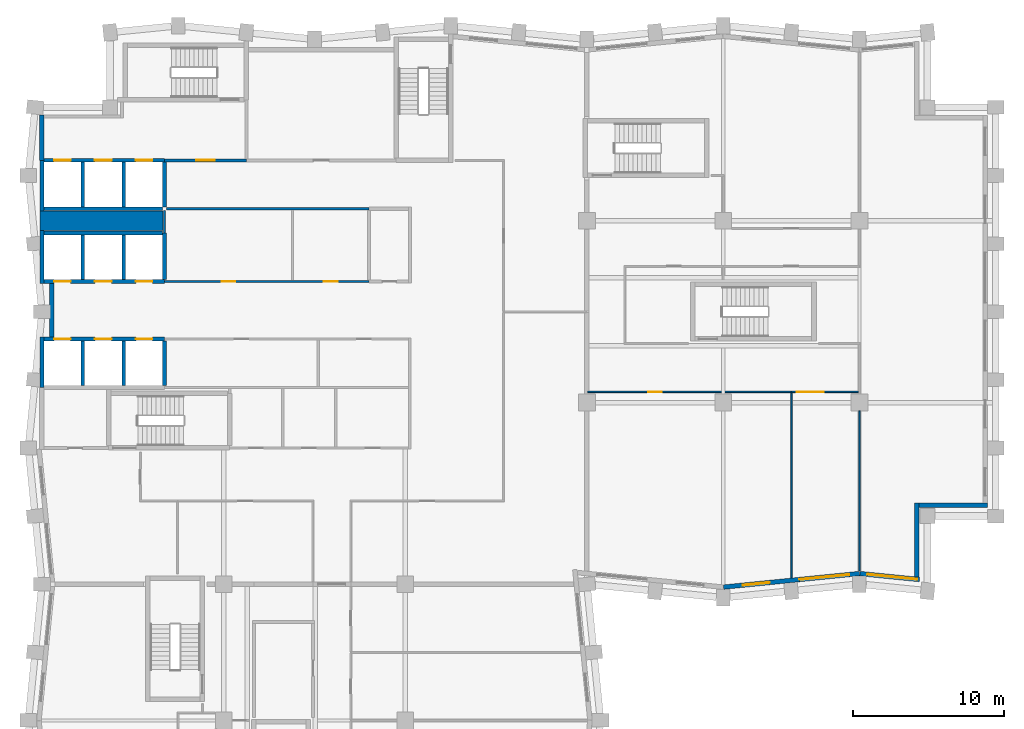
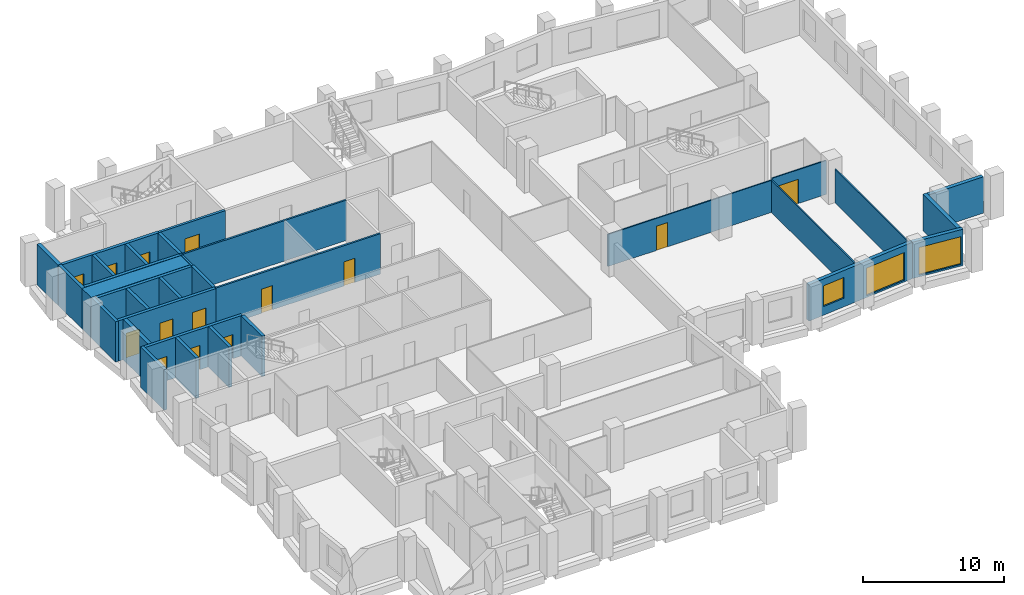
# One storey, part 5 of 10: 32 walls, 14 doors, 3 windows, 17 openings.
"""IFC4 building model written with IfcOpenShell, lengths in metres."""

import ifcopenshell
import ifcopenshell.guid

model = None  # the IFC model being written
_history = None  # IfcOwnerHistory: only IFC2X3 demands one
_inside = {}  # id of a spatial element -> (the spatial element, [elements in it])
_under = {}  # id of a project, library or spatial element -> (it, [spatial elements below it])
_declared = {}  # id of a project -> (the project, [libraries it declares])
_typed = {}  # id of a type object -> (the type object, [elements of that type])
_made_of = {}  # id of a material, layer set ... -> (it, [elements and type objects made of it])


def new_model(schema):
    """Start an empty IFC model of exactly this schema.

    Asked for "IFC4X3", IfcOpenShell would pick the latest addendum, in which some entities
    have other attributes; the version numbers below select the first issue.
    IFC2X3 requires an IfcOwnerHistory on every rooted entity: one is made here for all.
    """
    global model, _history
    if schema == "IFC4X3":
        model = ifcopenshell.file(schema_version=(4, 3, 0, 0))
    else:
        model = ifcopenshell.file(schema=schema)
    _inside.clear()
    _under.clear()
    _declared.clear()
    _typed.clear()
    _made_of.clear()
    _history = None
    if model.schema == "IFC2X3":
        org = make("IfcOrganization", Name="unknown")
        user = make(
            "IfcPersonAndOrganization",
            ThePerson=make("IfcPerson", FamilyName="unknown"),
            TheOrganization=org,
        )
        app = make(
            "IfcApplication",
            ApplicationDeveloper=org,
            Version="unknown",
            ApplicationFullName="unknown",
            ApplicationIdentifier="unknown",
        )
        _history = make(
            "IfcOwnerHistory",
            OwningUser=user,
            OwningApplication=app,
            ChangeAction="ADDED",
            CreationDate=0,
        )
    return model


def make(cls, **values):
    """One entity of the class cls with the attributes given. An attribute that is None is left unset."""
    return model.create_entity(
        cls, **{name: value for name, value in values.items() if value is not None}
    )


def rooted(cls, **values):
    """An entity with a GlobalId (a new one), such as an element, a storey or a relation."""
    return make(cls, GlobalId=ifcopenshell.guid.new(), OwnerHistory=_history, **values)


def si_unit(unit_type, name, prefix=None):
    """IfcSIUnit, for example si_unit("LENGTHUNIT", "METRE", prefix="MILLI")."""
    return make("IfcSIUnit", UnitType=unit_type, Prefix=prefix, Name=name)


def assignment(units):
    """IfcUnitAssignment: the units of a project."""
    return None if units is None else make("IfcUnitAssignment", Units=units)


def point(xyz):
    """IfcCartesianPoint."""
    return None if xyz is None else make("IfcCartesianPoint", Coordinates=xyz)


def direction(xyz):
    """IfcDirection."""
    return None if xyz is None else make("IfcDirection", DirectionRatios=xyz)


def frame(location, z_axis=None, x_axis=None):
    """IfcAxis2Placement3D, a coordinate frame: its origin and axes. An axis left out is left unset."""
    return make(
        "IfcAxis2Placement3D",
        Location=point(location),
        Axis=direction(z_axis),
        RefDirection=direction(x_axis),
    )


def frame_2d(location, x_axis=None):
    """IfcAxis2Placement2D, a coordinate frame in the plane: its origin and x axis."""
    return make(
        "IfcAxis2Placement2D", Location=point(location), RefDirection=direction(x_axis)
    )


def origin():
    """The frame at (0, 0, 0) with its axes left unset."""
    return frame((0.0, 0.0, 0.0))


def place(relative_to, where):
    """IfcLocalPlacement: puts the frame where relative to a parent placement (None: the world)."""
    return make(
        "IfcLocalPlacement", PlacementRelTo=relative_to, RelativePlacement=where
    )


def context(
    kind, dimensions, precision=None, world=None, true_north=None, identifier=None
):
    """IfcGeometricRepresentationContext, for example the 3D "Model" context."""
    return make(
        "IfcGeometricRepresentationContext",
        ContextIdentifier=identifier,
        ContextType=kind,
        CoordinateSpaceDimension=dimensions,
        Precision=precision,
        WorldCoordinateSystem=world,
        TrueNorth=true_north,
    )


def subcontext(parent, identifier, kind, view, scale=None):
    """IfcGeometricRepresentationSubContext, for example "Body" below "Model"."""
    return make(
        "IfcGeometricRepresentationSubContext",
        ContextIdentifier=identifier,
        ContextType=kind,
        ParentContext=parent,
        TargetScale=scale,
        TargetView=view,
    )


def project(units=None, contexts=None):
    """IfcProject with its units and contexts."""
    return rooted(
        "IfcProject",
        Name="project",
        RepresentationContexts=contexts,
        UnitsInContext=assignment(units),
    )


def spatial(cls, under=None, at=None, **own):
    """A site, building, storey or space (cls), placed at a placement, below another one or the project."""
    s = rooted(cls, ObjectPlacement=at, **own)
    if under is not None:
        _under.setdefault(under.id(), (under, []))[1].append(s)
    return s


def profile(cls, at=None, kind="AREA", **sizes):
    """A parametric profile (cls). Its sizes go by their IFC names, for example OverallWidth=200.0."""
    return make(cls, ProfileType=kind, Position=at, **sizes)


def rectangle(**sizes):
    """IfcRectangleProfileDef."""
    return profile("IfcRectangleProfileDef", **sizes)


def extrude(swept, where, along, depth):
    """IfcExtrudedAreaSolid: the profile swept, set in the frame where, extruded along a direction by depth."""
    return make(
        "IfcExtrudedAreaSolid",
        SweptArea=swept,
        Position=where,
        ExtrudedDirection=direction(along),
        Depth=depth,
    )


def shape(context_of_items, identifier, shape_type, items):
    """IfcShapeRepresentation: the items that make up one representation, for example the "Body"."""
    return make(
        "IfcShapeRepresentation",
        ContextOfItems=context_of_items,
        RepresentationIdentifier=identifier,
        RepresentationType=shape_type,
        Items=items,
    )


def material(Name=None, Category=None):
    """IfcMaterial."""
    return make("IfcMaterial", Name=Name, Category=Category)


def layer(
    of_material, thickness, ventilated=None, Name=None, Category=None, Priority=None
):
    """IfcMaterialLayer: one layer of a wall or slab, of a material (None: an air gap)."""
    return make(
        "IfcMaterialLayer",
        Material=of_material,
        LayerThickness=thickness,
        IsVentilated=ventilated,
        Name=Name,
        Category=Category,
        Priority=Priority,
    )


def layer_set(layers, Name=None):
    """IfcMaterialLayerSet."""
    return make("IfcMaterialLayerSet", MaterialLayers=layers, LayerSetName=Name)


def made_of(thing, what):
    """Note that an element or type object is made of a material, layer set ...; save() writes the relation."""
    if what is not None:
        _made_of.setdefault(what.id(), (what, []))[1].append(thing)
    return thing


def type_object(cls, material=None, **own):
    """A type object (cls), such as IfcWallType, which elements share."""
    return made_of(rooted(cls, **own), material)


def element(
    cls,
    number,
    at=None,
    inside=None,
    cuts=None,
    type_object=None,
    material=None,
    context=None,
    identifier="Body",
    shape_type=None,
    held_by="IfcProductDefinitionShape",
    body=None,
    shapes=None,
    **own,
):
    """One element of the class cls, such as IfcWall. Its Tag is "e" and its number.

    at: its placement. inside: the storey or other place that contains it. cuts: it is an
    opening in that element (IfcRelVoidsElement). A single representation is given by context,
    identifier, shape_type and body (its items); several are given by shapes. held_by: the class
    of the entity that holds the representations. save() writes the other relations.
    """
    e = rooted(cls, Tag="e%d" % number, ObjectPlacement=at, **own)
    if body is not None:
        shapes = [shape(context, identifier, shape_type, body)]
    if shapes is not None:
        e.Representation = make(held_by, Representations=shapes)
    if inside is not None:
        _inside.setdefault(inside.id(), (inside, []))[1].append(e)
    if cuts is not None:
        rooted(
            "IfcRelVoidsElement", RelatingBuildingElement=cuts, RelatedOpeningElement=e
        )
    if type_object is not None:
        _typed.setdefault(type_object.id(), (type_object, []))[1].append(e)
    return made_of(e, material)


def fill(opening, filler):
    """IfcRelFillsElement: the door or window that sits in an opening."""
    return rooted(
        "IfcRelFillsElement",
        RelatingOpeningElement=opening,
        RelatedBuildingElement=filler,
    )


def aggregate(whole, parts):
    """IfcRelAggregates: a whole, such as a stair, and the parts it consists of."""
    return rooted("IfcRelAggregates", RelatingObject=whole, RelatedObjects=parts)


def save(model, path):
    """Write the relations noted so far, then the file.

    IfcRelAggregates (storeys below a building ...), IfcRelContainedInSpatialStructure (elements
    in a storey), IfcRelDefinesByType, IfcRelAssociatesMaterial and IfcRelDeclares: one each for
    every whole, place, type object, material and project.
    """
    for whole, parts in _under.values():
        aggregate(whole, parts)
    for where, things in _inside.values():
        rooted(
            "IfcRelContainedInSpatialStructure",
            RelatedElements=things,
            RelatingStructure=where,
        )
    for kind, things in _typed.values():
        rooted("IfcRelDefinesByType", RelatedObjects=things, RelatingType=kind)
    for what, things in _made_of.values():
        rooted("IfcRelAssociatesMaterial", RelatedObjects=things, RelatingMaterial=what)
    for by, libraries in _declared.values():
        rooted("IfcRelDeclares", RelatingContext=by, RelatedDefinitions=libraries)
    model.write(path)


model = new_model("IFC4")

# Units and contexts
model_context = context("Model", 3, precision=1e-05, world=origin(), true_north=direction((0.0, 1.0)))
body_context = subcontext(model_context, "Body", "Model", "MODEL_VIEW")
ifc_project = project(units=[si_unit("LENGTHUNIT", "METRE"), si_unit("AREAUNIT", "SQUARE_METRE"), si_unit("VOLUMEUNIT", "CUBIC_METRE"), si_unit("PLANEANGLEUNIT", "RADIAN"), si_unit("MASSUNIT", "GRAM", prefix="KILO")], contexts=[model_context])

# Site, building, storey
site_placement = place(None, origin())
site = spatial("IfcSite", under=ifc_project, at=site_placement, CompositionType="ELEMENT")
building_placement = place(site_placement, origin())
building = spatial("IfcBuilding", under=site, at=building_placement, Name="Brondeck Convention Tower", CompositionType="ELEMENT")
storey_placement = place(building_placement, frame((0.0, 0.0, 158.60009765625)))
storey = spatial("IfcBuildingStorey", under=building, at=storey_placement, Name="L38", CompositionType="ELEMENT", Elevation=158.60009765625)

# Walls
ifc_material_1 = material(Name="Concrete C70/85", Category="concrete")
ifc_layer_1 = layer(ifc_material_1, 0.300048828125)
ifc_layer_set_1 = layer_set([ifc_layer_1], Name="Core outer wall 300 Concrete C70/85")
wall_type_1 = type_object("IfcWallType", Name="Core outer wall 300 Concrete C70/85", PredefinedType="SHEAR", material=ifc_layer_set_1)
wall_1_placement = place(storey_placement, frame((0.0, 55.0, 0.0), z_axis=(0.0, 0.0, 1.0), x_axis=(0.0, 1.0, 0.0)))
element("IfcWall", 1, at=wall_1_placement, inside=storey, type_object=wall_type_1, Name="L38 core wall", PredefinedType="SHEAR", context=body_context, shape_type="SweptSolid", body=[
    extrude(rectangle(XDim=3.0, YDim=0.300048828125, at=frame_2d((1.5, 0.0))), origin(), (0.0, 0.0, 1.0), 3.5),
])
wall_2_placement = place(storey_placement, frame((0.64990234375, 43.324951171875, 0.0), z_axis=(0.0, 0.0, 1.0), x_axis=(0.0, 1.0, 0.0)))
element("IfcWall", 2, at=wall_2_placement, inside=storey, type_object=wall_type_1, Name="L38 core wall", PredefinedType="SHEAR", context=body_context, shape_type="SweptSolid", body=[
    extrude(rectangle(XDim=3.550048828125, YDim=0.300048828125, at=frame_2d((1.77490234375, 0.0))), origin(), (0.0, 0.0, 1.0), 3.5),
])

# Wall, openings, doors
ifc_material_2 = material(Name="Fire-rated gypsum board partition")
ifc_layer_2 = layer(ifc_material_2, 0.14990234375)
ifc_layer_set_2 = layer_set([ifc_layer_2], Name="Core partition 150 EI 60")
wall_type_2 = type_object("IfcWallType", Name="Core partition 150 EI 60", PredefinedType="PARTITIONING", material=ifc_layer_set_2)
wall_3_placement = place(storey_placement, frame((8.10009765625, 47.0, 0.0), z_axis=(0.0, 0.0, 1.0), x_axis=(1.0, 0.0, 0.0)))
wall_3 = element("IfcWall", 3, at=wall_3_placement, inside=storey, type_object=wall_type_2, Name="L38 core wall", PredefinedType="PARTITIONING", context=body_context, shape_type="SweptSolid", body=[
    extrude(rectangle(XDim=13.5, YDim=0.14990234375, at=frame_2d((6.75, 0.0))), origin(), (0.0, 0.0, 1.0), 3.5),
])
opening_1_placement = place(wall_3_placement, frame((3.77490234375, 0.0, 0.0)))
opening_1 = element("IfcOpeningElement", 4, at=opening_1_placement, cuts=wall_3, Name="Opening C22-07", PredefinedType="OPENING", context=body_context, shape_type="SweptSolid", body=[
    extrude(rectangle(XDim=0.89990234375, YDim=2.10009765625, at=frame_2d((0.449951171875, 1.050048828125))), frame((0.0, 0.0849609375, 0.0), z_axis=(0.0, -1.0, 0.0), x_axis=(1.0, 0.0, 0.0)), (0.0, 0.0, 1.0), 0.169921875),
])
opening_2_placement = place(wall_3_placement, frame((10.52490234375, 0.0, 0.0)))
opening_2 = element("IfcOpeningElement", 5, at=opening_2_placement, cuts=wall_3, Name="Opening C22-08", PredefinedType="OPENING", context=body_context, shape_type="SweptSolid", body=[
    extrude(rectangle(XDim=0.89990234375, YDim=2.10009765625, at=frame_2d((0.449951171875, 1.050048828125))), frame((0.0, 0.0849609375, 0.0), z_axis=(0.0, -1.0, 0.0), x_axis=(1.0, 0.0, 0.0)), (0.0, 0.0, 1.0), 0.169921875),
])
ifc_material_3 = material(Name="Steel fire door", Category="steel")
door_type_1 = type_object("IfcDoorType", Name="Room door 900x2100 EI 60", OperationType="NOTDEFINED", PredefinedType="DOOR", material=ifc_material_3)
door_1_placement = place(opening_1_placement, origin())
door_1 = element("IfcDoor", 6, at=door_1_placement, inside=storey, type_object=door_type_1, Name="L38 Room door FZ-N-8.1-1", OperationType="SINGLE_SWING_LEFT", OverallHeight=2.10009765625, OverallWidth=0.89990234375, PredefinedType="DOOR", context=body_context, shape_type="SweptSolid", body=[
    extrude(rectangle(XDim=0.89990234375, YDim=2.10009765625, at=frame_2d((0.449951171875, 1.050048828125))), frame((0.0, 0.02490234375, 0.0), z_axis=(0.0, -1.0, 0.0), x_axis=(1.0, 0.0, 0.0)), (0.0, 0.0, 1.0), 0.050048828125),
])
fill(opening_1, door_1)
door_2_placement = place(opening_2_placement, origin())
door_2 = element("IfcDoor", 7, at=door_2_placement, inside=storey, type_object=door_type_1, Name="L38 Room door FZ-N-8.1-2", OperationType="SINGLE_SWING_RIGHT", OverallHeight=2.10009765625, OverallWidth=0.89990234375, PredefinedType="DOOR", context=body_context, shape_type="SweptSolid", body=[
    extrude(rectangle(XDim=0.89990234375, YDim=2.10009765625, at=frame_2d((0.449951171875, 1.050048828125))), frame((0.0, 0.02490234375, 0.0), z_axis=(0.0, -1.0, 0.0), x_axis=(1.0, 0.0, 0.0)), (0.0, 0.0, 1.0), 0.050048828125),
])
fill(opening_2, door_2)

# Walls
wall_4_placement = place(storey_placement, frame((8.22509765625, 51.800048828125, 0.0), z_axis=(0.0, 0.0, 1.0), x_axis=(1.0, 0.0, 0.0)))
element("IfcWall", 8, at=wall_4_placement, inside=storey, type_object=wall_type_2, Name="L38 core wall", PredefinedType="PARTITIONING", context=body_context, shape_type="SweptSolid", body=[
    extrude(rectangle(XDim=13.375, YDim=0.14990234375, at=frame_2d((6.6875, 0.0))), origin(), (0.0, 0.0, 1.0), 3.5),
])
wall_5_placement = place(storey_placement, frame((8.10009765625, 50.199951171875, 0.0), z_axis=(0.0, 0.0, 1.0), x_axis=(0.0, 1.0, 0.0)))
element("IfcWall", 9, at=wall_5_placement, inside=storey, type_object=wall_type_2, Name="L38 core wall", PredefinedType="PARTITIONING", context=body_context, shape_type="SweptSolid", body=[
    extrude(rectangle(XDim=1.47509765625, YDim=0.14990234375, at=frame_2d((0.737548828125, 0.0))), origin(), (0.0, 0.0, 1.0), 3.5),
])
ifc_layer_3 = layer(ifc_material_1, 1.300048828125)
ifc_layer_set_3 = layer_set([ifc_layer_3], Name="Core shear wall 1300 Concrete C70/85")
wall_type_3 = type_object("IfcWallType", Name="Core shear wall 1300 Concrete C70/85", PredefinedType="SHEAR", material=ifc_layer_set_3)
wall_6_placement = place(storey_placement, frame((-0.125, 51.0, 0.0), z_axis=(0.0, 0.0, 1.0), x_axis=(1.0, 0.0, 0.0)))
element("IfcWall", 10, at=wall_6_placement, inside=storey, type_object=wall_type_3, Name="L38 core wall", PredefinedType="SHEAR", context=body_context, shape_type="SweptSolid", body=[
    extrude(rectangle(XDim=8.125, YDim=1.300048828125, at=frame_2d((4.0625, 0.0))), origin(), (0.0, 0.0, 1.0), 3.5),
])

# Wall, openings, windows
ifc_material_4 = material(Name="Precast concrete C50/60 bronze finish", Category="concrete")
ifc_layer_4 = layer(ifc_material_4, 0.070068359375, Name="Bronze precast facing")
ifc_material_5 = material(Name="Mineral wool")
ifc_layer_5 = layer(ifc_material_5, 0.159912109375, Name="Insulation")
ifc_material_6 = material(Name="Concrete C35/45", Category="concrete")
ifc_layer_6 = layer(ifc_material_6, 0.070068359375, Name="Backing")
ifc_layer_set_4 = layer_set([ifc_layer_4, ifc_layer_5, ifc_layer_6], Name="External infill wall, precast concrete C50/60 bronze facing")
wall_type_4 = type_object("IfcWallType", Name="External infill wall, precast concrete C50/60 bronze facing", PredefinedType="SOLIDWALL", material=ifc_layer_set_4)
wall_7_placement = place(storey_placement, frame((54.014892578125, 27.705078125, 0.0), z_axis=(0.0, 0.0, 1.0), x_axis=(-0.995035316196, -0.099522457379, 0.0)))
wall_7 = element("IfcWall", 11, at=wall_7_placement, inside=storey, type_object=wall_type_4, Name="ENV-EW-L38-P1-A-S-02", PredefinedType="SOLIDWALL", context=body_context, shape_type="SweptSolid", body=[
    extrude(rectangle(XDim=9.030029296875, YDim=0.300048828125, at=frame_2d((4.51513671875, 0.0))), origin(), (0.0, 0.0, 1.0), 3.14990234375),
])
opening_3_placement = place(wall_7_placement, frame((0.6962890625, 0.0, 0.14990234375)))
opening_3 = element("IfcOpeningElement", 12, at=opening_3_placement, cuts=wall_7, Name="Opening W9", PredefinedType="OPENING", context=body_context, shape_type="SweptSolid", body=[
    extrude(rectangle(XDim=3.300048828125, YDim=2.39990234375, at=frame_2d((1.64990234375, 1.199951171875))), frame((0.0, 0.159912109375, 0.0), z_axis=(0.0, -1.0, 0.0), x_axis=(1.0, 0.0, 0.0)), (0.0, 0.0, 1.0), 0.320068359375),
])
opening_4_placement = place(wall_7_placement, frame((5.968505859375, 0.0, 0.75)))
opening_4 = element("IfcOpeningElement", 13, at=opening_4_placement, cuts=wall_7, Name="Opening W10", PredefinedType="OPENING", context=body_context, shape_type="SweptSolid", body=[
    extrude(rectangle(XDim=1.800048828125, YDim=1.800048828125, at=frame_2d((0.89990234375, 0.89990234375))), frame((0.0, 0.159912109375, 0.0), z_axis=(0.0, -1.0, 0.0), x_axis=(1.0, 0.0, 0.0)), (0.0, 0.0, 1.0), 0.320068359375),
])
ifc_material_7 = material(Name="Bronze tinted double glazing", Category="glass")
window_type_1 = type_object("IfcWindowType", Name="Glazed flute window, bronze tinted", PartitioningType="SINGLE_PANEL", PredefinedType="WINDOW", material=ifc_material_7)
window_1_placement = place(opening_3_placement, origin())
window_1 = element("IfcWindow", 14, at=window_1_placement, inside=storey, type_object=window_type_1, Name="ENV-WN-L38-P1-A-S-03", OverallHeight=2.39990234375, OverallWidth=3.300048828125, PartitioningType="SINGLE_PANEL", PredefinedType="WINDOW", context=body_context, shape_type="SweptSolid", body=[
    extrude(rectangle(XDim=3.300048828125, YDim=2.39990234375, at=frame_2d((1.64990234375, 1.199951171875))), frame((0.0, 0.030029296875, 0.0), z_axis=(0.0, -1.0, 0.0), x_axis=(1.0, 0.0, 0.0)), (0.0, 0.0, 1.0), 0.06005859375),
])
fill(opening_3, window_1)
window_type_2 = type_object("IfcWindowType", Name="Punched window, bronze tinted", PartitioningType="SINGLE_PANEL", PredefinedType="WINDOW", material=ifc_material_7)
window_2_placement = place(opening_4_placement, origin())
window_2 = element("IfcWindow", 15, at=window_2_placement, inside=storey, type_object=window_type_2, Name="ENV-WN-L38-P1-A-S-02", OverallHeight=1.800048828125, OverallWidth=1.800048828125, PartitioningType="SINGLE_PANEL", PredefinedType="WINDOW", context=body_context, shape_type="SweptSolid", body=[
    extrude(rectangle(XDim=1.800048828125, YDim=1.800048828125, at=frame_2d((0.89990234375, 0.89990234375))), frame((0.0, 0.030029296875, 0.0), z_axis=(0.0, -1.0, 0.0), x_axis=(1.0, 0.0, 0.0)), (0.0, 0.0, 1.0), 0.06005859375),
])
fill(opening_4, window_2)

# Wall, opening, window
wall_8_placement = place(storey_placement, frame((57.96484375, 27.306884765625, 0.0), z_axis=(0.0, 0.0, 1.0), x_axis=(-0.99503596767, 0.099515943658, 0.0)))
wall_8 = element("IfcWall", 16, at=wall_8_placement, inside=storey, type_object=wall_type_4, Name="ENV-EW-L38-P1-A-S-04", PredefinedType="SOLIDWALL", context=body_context, shape_type="SweptSolid", body=[
    extrude(rectangle(XDim=3.95458984375, YDim=0.300048828125, at=frame_2d((1.977294921875, 0.0))), origin(), (0.0, 0.0, 1.0), 3.14990234375),
])
opening_5_placement = place(wall_8_placement, frame((0.14990234375, 0.0, 0.14990234375)))
opening_5 = element("IfcOpeningElement", 17, at=opening_5_placement, cuts=wall_8, Name="Opening W9", PredefinedType="OPENING", context=body_context, shape_type="SweptSolid", body=[
    extrude(rectangle(XDim=3.300048828125, YDim=2.39990234375, at=frame_2d((1.64990234375, 1.199951171875))), frame((0.0, 0.159912109375, 0.0), z_axis=(0.0, -1.0, 0.0), x_axis=(1.0, 0.0, 0.0)), (0.0, 0.0, 1.0), 0.320068359375),
])
window_3_placement = place(opening_5_placement, origin())
window_3 = element("IfcWindow", 18, at=window_3_placement, inside=storey, type_object=window_type_1, Name="ENV-WN-L38-P1-A-S-04", OverallHeight=2.39990234375, OverallWidth=3.300048828125, PartitioningType="SINGLE_PANEL", PredefinedType="WINDOW", context=body_context, shape_type="SweptSolid", body=[
    extrude(rectangle(XDim=3.300048828125, YDim=2.39990234375, at=frame_2d((1.64990234375, 1.199951171875))), frame((0.0, 0.030029296875, 0.0), z_axis=(0.0, -1.0, 0.0), x_axis=(1.0, 0.0, 0.0)), (0.0, 0.0, 1.0), 0.06005859375),
])
fill(opening_5, window_3)

# Walls
wall_9_placement = place(storey_placement, frame((57.800048828125, 32.35009765625, 0.0), z_axis=(0.0, 0.0, 1.0), x_axis=(0.0, -1.0, 0.0)))
element("IfcWall", 19, at=wall_9_placement, inside=storey, type_object=wall_type_4, Name="ENV-EW-L38-P1-NC-SEA63-01", PredefinedType="SOLIDWALL", context=body_context, shape_type="SweptSolid", body=[
    extrude(rectangle(XDim=4.87060546875, YDim=0.300048828125, at=frame_2d((2.435302734375, 0.0))), origin(), (0.0, 0.0, 1.0), 3.14990234375),
])
wall_10_placement = place(storey_placement, frame((62.449951171875, 32.199951171875, 0.0), z_axis=(0.0, 0.0, 1.0), x_axis=(-1.0, 0.0, 0.0)))
element("IfcWall", 20, at=wall_10_placement, inside=storey, type_object=wall_type_4, Name="ENV-EW-L38-P1-NC-SEA63-02", PredefinedType="SOLIDWALL", context=body_context, shape_type="SweptSolid", body=[
    extrude(rectangle(XDim=4.501953125, YDim=0.300048828125, at=frame_2d((2.2509765625, 0.0))), origin(), (0.0, 0.0, 1.0), 3.14990234375),
])

# Wall, opening, door
ifc_layer_7 = layer(ifc_material_2, 0.199951171875)
ifc_layer_set_5 = layer_set([ifc_layer_7], Name="Firefighting lobby wall 200 EI 120")
wall_type_5 = type_object("IfcWallType", Name="Firefighting lobby wall 200 EI 120", PredefinedType="PARTITIONING", material=ifc_layer_set_5)
wall_11_placement = place(storey_placement, frame((8.10009765625, 55.0, 0.0), z_axis=(0.0, 0.0, 1.0), x_axis=(1.0, 0.0, 0.0)))
wall_11 = element("IfcWall", 21, at=wall_11_placement, inside=storey, type_object=wall_type_5, Name="L38 core wall", PredefinedType="PARTITIONING", context=body_context, shape_type="SweptSolid", body=[
    extrude(rectangle(XDim=5.39990234375, YDim=0.199951171875, at=frame_2d((2.699951171875, 0.0))), origin(), (0.0, 0.0, 1.0), 3.5),
])
opening_6_placement = place(wall_11_placement, frame((2.10009765625, 0.0, 0.0)))
opening_6 = element("IfcOpeningElement", 22, at=opening_6_placement, cuts=wall_11, Name="Opening C22-01", PredefinedType="OPENING", context=body_context, shape_type="SweptSolid", body=[
    extrude(rectangle(XDim=1.199951171875, YDim=2.199951171875, at=frame_2d((0.60009765625, 1.10009765625))), frame((0.0, 0.10986328125, 0.0), z_axis=(0.0, -1.0, 0.0), x_axis=(1.0, 0.0, 0.0)), (0.0, 0.0, 1.0), 0.219970703125),
])
door_type_2 = type_object("IfcDoorType", Name="Firefighting lobby door 1200x2200 EI 120", OperationType="NOTDEFINED", PredefinedType="DOOR", material=ifc_material_3)
door_3_placement = place(opening_6_placement, origin())
door_3 = element("IfcDoor", 23, at=door_3_placement, inside=storey, type_object=door_type_2, Name="L38 Firefighting lobby door FFL-1", OperationType="SINGLE_SWING_RIGHT", OverallHeight=2.199951171875, OverallWidth=1.199951171875, PredefinedType="DOOR", context=body_context, shape_type="SweptSolid", body=[
    extrude(rectangle(XDim=1.199951171875, YDim=2.199951171875, at=frame_2d((0.60009765625, 1.10009765625))), frame((0.0, 0.02490234375, 0.0), z_axis=(0.0, -1.0, 0.0), x_axis=(1.0, 0.0, 0.0)), (0.0, 0.0, 1.0), 0.050048828125),
])
fill(opening_6, door_3)

# Wall, openings, doors
ifc_layer_8 = layer(ifc_material_1, 0.25)
ifc_layer_set_6 = layer_set([ifc_layer_8], Name="Lift shaft wall 250 Concrete C70/85")
wall_type_6 = type_object("IfcWallType", Name="Lift shaft wall 250 Concrete C70/85", PredefinedType="SHEAR", material=ifc_layer_set_6)
wall_12_placement = place(storey_placement, frame((0.125, 43.199951171875, 0.0), z_axis=(0.0, 0.0, 1.0), x_axis=(1.0, 0.0, 0.0)))
wall_12 = element("IfcWall", 24, at=wall_12_placement, inside=storey, type_object=wall_type_6, Name="L38 core wall", PredefinedType="SHEAR", context=body_context, shape_type="SweptSolid", body=[
    extrude(rectangle(XDim=7.97509765625, YDim=0.25, at=frame_2d((3.987548828125, 0.0))), origin(), (0.0, 0.0, 1.0), 3.5),
])
opening_7_placement = place(wall_12_placement, frame((0.675048828125, 0.0, 0.0)))
opening_7 = element("IfcOpeningElement", 25, at=opening_7_placement, cuts=wall_12, Name="Opening C22-22", PredefinedType="OPENING", context=body_context, shape_type="SweptSolid", body=[
    extrude(rectangle(XDim=1.10009765625, YDim=2.10009765625, at=frame_2d((0.550048828125, 1.050048828125))), frame((0.0, 0.135009765625, 0.0), z_axis=(0.0, -1.0, 0.0), x_axis=(1.0, 0.0, 0.0)), (0.0, 0.0, 1.0), 0.27001953125),
])
opening_8_placement = place(wall_12_placement, frame((3.375, 0.0, 0.0)))
opening_8 = element("IfcOpeningElement", 26, at=opening_8_placement, cuts=wall_12, Name="Opening C22-23", PredefinedType="OPENING", context=body_context, shape_type="SweptSolid", body=[
    extrude(rectangle(XDim=1.10009765625, YDim=2.10009765625, at=frame_2d((0.550048828125, 1.050048828125))), frame((0.0, 0.135009765625, 0.0), z_axis=(0.0, -1.0, 0.0), x_axis=(1.0, 0.0, 0.0)), (0.0, 0.0, 1.0), 0.27001953125),
])
opening_9_placement = place(wall_12_placement, frame((6.074951171875, 0.0, 0.0)))
opening_9 = element("IfcOpeningElement", 27, at=opening_9_placement, cuts=wall_12, Name="Opening C22-24", PredefinedType="OPENING", context=body_context, shape_type="SweptSolid", body=[
    extrude(rectangle(XDim=1.10009765625, YDim=2.10009765625, at=frame_2d((0.550048828125, 1.050048828125))), frame((0.0, 0.135009765625, 0.0), z_axis=(0.0, -1.0, 0.0), x_axis=(1.0, 0.0, 0.0)), (0.0, 0.0, 1.0), 0.27001953125),
])
ifc_material_8 = material(Name="Stainless steel lift door", Category="steel")
door_type_3 = type_object("IfcDoorType", Name="Lift landing door 1100x2100 EI 180", OperationType="DOUBLE_DOOR_SLIDING", PredefinedType="DOOR", material=ifc_material_8)
door_4_placement = place(opening_7_placement, origin())
door_4 = element("IfcDoor", 28, at=door_4_placement, inside=storey, type_object=door_type_3, Name="L38 Lift landing door HR1", OperationType="DOUBLE_DOOR_SLIDING", OverallHeight=2.10009765625, OverallWidth=1.10009765625, PredefinedType="DOOR", context=body_context, shape_type="SweptSolid", body=[
    extrude(rectangle(XDim=1.10009765625, YDim=2.10009765625, at=frame_2d((0.550048828125, 1.050048828125))), frame((0.0, 0.02490234375, 0.0), z_axis=(0.0, -1.0, 0.0), x_axis=(1.0, 0.0, 0.0)), (0.0, 0.0, 1.0), 0.050048828125),
])
fill(opening_7, door_4)
door_5_placement = place(opening_8_placement, origin())
door_5 = element("IfcDoor", 29, at=door_5_placement, inside=storey, type_object=door_type_3, Name="L38 Lift landing door HR2", OperationType="DOUBLE_DOOR_SLIDING", OverallHeight=2.10009765625, OverallWidth=1.10009765625, PredefinedType="DOOR", context=body_context, shape_type="SweptSolid", body=[
    extrude(rectangle(XDim=1.10009765625, YDim=2.10009765625, at=frame_2d((0.550048828125, 1.050048828125))), frame((0.0, 0.02490234375, 0.0), z_axis=(0.0, -1.0, 0.0), x_axis=(1.0, 0.0, 0.0)), (0.0, 0.0, 1.0), 0.050048828125),
])
fill(opening_8, door_5)
door_6_placement = place(opening_9_placement, origin())
door_6 = element("IfcDoor", 30, at=door_6_placement, inside=storey, type_object=door_type_3, Name="L38 Lift landing door HR3", OperationType="DOUBLE_DOOR_SLIDING", OverallHeight=2.10009765625, OverallWidth=1.10009765625, PredefinedType="DOOR", context=body_context, shape_type="SweptSolid", body=[
    extrude(rectangle(XDim=1.10009765625, YDim=2.10009765625, at=frame_2d((0.550048828125, 1.050048828125))), frame((0.0, 0.02490234375, 0.0), z_axis=(0.0, -1.0, 0.0), x_axis=(1.0, 0.0, 0.0)), (0.0, 0.0, 1.0), 0.050048828125),
])
fill(opening_9, door_6)

wall_13_placement = place(storey_placement, frame((0.125, 47.0, 0.0), z_axis=(0.0, 0.0, 1.0), x_axis=(1.0, 0.0, 0.0)))
wall_13 = element("IfcWall", 31, at=wall_13_placement, inside=storey, type_object=wall_type_6, Name="L38 core wall", PredefinedType="SHEAR", context=body_context, shape_type="SweptSolid", body=[
    extrude(rectangle(XDim=7.97509765625, YDim=0.25, at=frame_2d((3.987548828125, 0.0))), origin(), (0.0, 0.0, 1.0), 3.5),
])
opening_10_placement = place(wall_13_placement, frame((0.675048828125, 0.0, 0.0)))
opening_10 = element("IfcOpeningElement", 32, at=opening_10_placement, cuts=wall_13, Name="Opening C22-25", PredefinedType="OPENING", context=body_context, shape_type="SweptSolid", body=[
    extrude(rectangle(XDim=1.10009765625, YDim=2.10009765625, at=frame_2d((0.550048828125, 1.050048828125))), frame((0.0, 0.135009765625, 0.0), z_axis=(0.0, -1.0, 0.0), x_axis=(1.0, 0.0, 0.0)), (0.0, 0.0, 1.0), 0.27001953125),
])
opening_11_placement = place(wall_13_placement, frame((3.375, 0.0, 0.0)))
opening_11 = element("IfcOpeningElement", 33, at=opening_11_placement, cuts=wall_13, Name="Opening C22-26", PredefinedType="OPENING", context=body_context, shape_type="SweptSolid", body=[
    extrude(rectangle(XDim=1.10009765625, YDim=2.10009765625, at=frame_2d((0.550048828125, 1.050048828125))), frame((0.0, 0.135009765625, 0.0), z_axis=(0.0, -1.0, 0.0), x_axis=(1.0, 0.0, 0.0)), (0.0, 0.0, 1.0), 0.27001953125),
])
opening_12_placement = place(wall_13_placement, frame((6.074951171875, 0.0, 0.0)))
opening_12 = element("IfcOpeningElement", 34, at=opening_12_placement, cuts=wall_13, Name="Opening C22-27", PredefinedType="OPENING", context=body_context, shape_type="SweptSolid", body=[
    extrude(rectangle(XDim=1.10009765625, YDim=2.10009765625, at=frame_2d((0.550048828125, 1.050048828125))), frame((0.0, 0.135009765625, 0.0), z_axis=(0.0, -1.0, 0.0), x_axis=(1.0, 0.0, 0.0)), (0.0, 0.0, 1.0), 0.27001953125),
])
door_7_placement = place(opening_10_placement, origin())
door_7 = element("IfcDoor", 35, at=door_7_placement, inside=storey, type_object=door_type_3, Name="L38 Lift landing door HR4", OperationType="DOUBLE_DOOR_SLIDING", OverallHeight=2.10009765625, OverallWidth=1.10009765625, PredefinedType="DOOR", context=body_context, shape_type="SweptSolid", body=[
    extrude(rectangle(XDim=1.10009765625, YDim=2.10009765625, at=frame_2d((0.550048828125, 1.050048828125))), frame((0.0, 0.02490234375, 0.0), z_axis=(0.0, -1.0, 0.0), x_axis=(1.0, 0.0, 0.0)), (0.0, 0.0, 1.0), 0.050048828125),
])
fill(opening_10, door_7)
door_8_placement = place(opening_11_placement, origin())
door_8 = element("IfcDoor", 36, at=door_8_placement, inside=storey, type_object=door_type_3, Name="L38 Lift landing door HR5", OperationType="DOUBLE_DOOR_SLIDING", OverallHeight=2.10009765625, OverallWidth=1.10009765625, PredefinedType="DOOR", context=body_context, shape_type="SweptSolid", body=[
    extrude(rectangle(XDim=1.10009765625, YDim=2.10009765625, at=frame_2d((0.550048828125, 1.050048828125))), frame((0.0, 0.02490234375, 0.0), z_axis=(0.0, -1.0, 0.0), x_axis=(1.0, 0.0, 0.0)), (0.0, 0.0, 1.0), 0.050048828125),
])
fill(opening_11, door_8)
door_9_placement = place(opening_12_placement, origin())
door_9 = element("IfcDoor", 37, at=door_9_placement, inside=storey, type_object=door_type_3, Name="L38 Lift landing door HR6", OperationType="DOUBLE_DOOR_SLIDING", OverallHeight=2.10009765625, OverallWidth=1.10009765625, PredefinedType="DOOR", context=body_context, shape_type="SweptSolid", body=[
    extrude(rectangle(XDim=1.10009765625, YDim=2.10009765625, at=frame_2d((0.550048828125, 1.050048828125))), frame((0.0, 0.02490234375, 0.0), z_axis=(0.0, -1.0, 0.0), x_axis=(1.0, 0.0, 0.0)), (0.0, 0.0, 1.0), 0.050048828125),
])
fill(opening_12, door_9)

# Walls
for number, where, z_axis, x_axis, name in (
    (38, (0.125, 50.199951171875, 0.0), (0.0, 0.0, 1.0), (1.0, 0.0, 0.0), "L38 core wall"),
    (39, (0.125, 51.800048828125, 0.0), (0.0, 0.0, 1.0), (1.0, 0.0, 0.0), "L38 core wall"),
):
    element("IfcWall", number, at=place(storey_placement, frame(where, z_axis=z_axis, x_axis=x_axis)), inside=storey, type_object=wall_type_6, Name=name, PredefinedType="SHEAR", context=body_context, shape_type="SweptSolid", body=[
        extrude(rectangle(XDim=7.85009765625, YDim=0.25, at=frame_2d((3.925048828125, 0.0))), origin(), (0.0, 0.0, 1.0), 3.5),
    ])

# Wall, openings, doors
wall_14_placement = place(storey_placement, frame((0.14990234375, 55.0, 0.0), z_axis=(0.0, 0.0, 1.0), x_axis=(1.0, 0.0, 0.0)))
wall_14 = element("IfcWall", 40, at=wall_14_placement, inside=storey, type_object=wall_type_6, Name="L38 core wall", PredefinedType="SHEAR", context=body_context, shape_type="SweptSolid", body=[
    extrude(rectangle(XDim=7.9501953125, YDim=0.25, at=frame_2d((3.97509765625, 0.0))), origin(), (0.0, 0.0, 1.0), 3.5),
])
opening_13_placement = place(wall_14_placement, frame((0.64990234375, 0.0, 0.0)))
opening_13 = element("IfcOpeningElement", 41, at=opening_13_placement, cuts=wall_14, Name="Opening C22-19", PredefinedType="OPENING", context=body_context, shape_type="SweptSolid", body=[
    extrude(rectangle(XDim=1.10009765625, YDim=2.10009765625, at=frame_2d((0.550048828125, 1.050048828125))), frame((0.0, 0.135009765625, 0.0), z_axis=(0.0, -1.0, 0.0), x_axis=(1.0, 0.0, 0.0)), (0.0, 0.0, 1.0), 0.27001953125),
])
opening_14_placement = place(wall_14_placement, frame((3.35009765625, 0.0, 0.0)))
opening_14 = element("IfcOpeningElement", 42, at=opening_14_placement, cuts=wall_14, Name="Opening C22-20", PredefinedType="OPENING", context=body_context, shape_type="SweptSolid", body=[
    extrude(rectangle(XDim=1.10009765625, YDim=2.10009765625, at=frame_2d((0.550048828125, 1.050048828125))), frame((0.0, 0.135009765625, 0.0), z_axis=(0.0, -1.0, 0.0), x_axis=(1.0, 0.0, 0.0)), (0.0, 0.0, 1.0), 0.27001953125),
])
opening_15_placement = place(wall_14_placement, frame((6.050048828125, 0.0, 0.0)))
opening_15 = element("IfcOpeningElement", 43, at=opening_15_placement, cuts=wall_14, Name="Opening C22-21", PredefinedType="OPENING", context=body_context, shape_type="SweptSolid", body=[
    extrude(rectangle(XDim=1.10009765625, YDim=2.10009765625, at=frame_2d((0.550048828125, 1.050048828125))), frame((0.0, 0.135009765625, 0.0), z_axis=(0.0, -1.0, 0.0), x_axis=(1.0, 0.0, 0.0)), (0.0, 0.0, 1.0), 0.27001953125),
])
door_10_placement = place(opening_13_placement, origin())
door_10 = element("IfcDoor", 44, at=door_10_placement, inside=storey, type_object=door_type_3, Name="L38 Lift landing door FF1", OperationType="DOUBLE_DOOR_SLIDING", OverallHeight=2.10009765625, OverallWidth=1.10009765625, PredefinedType="DOOR", context=body_context, shape_type="SweptSolid", body=[
    extrude(rectangle(XDim=1.10009765625, YDim=2.10009765625, at=frame_2d((0.550048828125, 1.050048828125))), frame((0.0, 0.02490234375, 0.0), z_axis=(0.0, -1.0, 0.0), x_axis=(1.0, 0.0, 0.0)), (0.0, 0.0, 1.0), 0.050048828125),
])
fill(opening_13, door_10)
door_11_placement = place(opening_14_placement, origin())
door_11 = element("IfcDoor", 45, at=door_11_placement, inside=storey, type_object=door_type_3, Name="L38 Lift landing door FF2", OperationType="DOUBLE_DOOR_SLIDING", OverallHeight=2.10009765625, OverallWidth=1.10009765625, PredefinedType="DOOR", context=body_context, shape_type="SweptSolid", body=[
    extrude(rectangle(XDim=1.10009765625, YDim=2.10009765625, at=frame_2d((0.550048828125, 1.050048828125))), frame((0.0, 0.02490234375, 0.0), z_axis=(0.0, -1.0, 0.0), x_axis=(1.0, 0.0, 0.0)), (0.0, 0.0, 1.0), 0.050048828125),
])
fill(opening_14, door_11)
door_12_placement = place(opening_15_placement, origin())
door_12 = element("IfcDoor", 46, at=door_12_placement, inside=storey, type_object=door_type_3, Name="L38 Lift landing door FF3", OperationType="DOUBLE_DOOR_SLIDING", OverallHeight=2.10009765625, OverallWidth=1.10009765625, PredefinedType="DOOR", context=body_context, shape_type="SweptSolid", body=[
    extrude(rectangle(XDim=1.10009765625, YDim=2.10009765625, at=frame_2d((0.550048828125, 1.050048828125))), frame((0.0, 0.02490234375, 0.0), z_axis=(0.0, -1.0, 0.0), x_axis=(1.0, 0.0, 0.0)), (0.0, 0.0, 1.0), 0.050048828125),
])
fill(opening_15, door_12)

# Walls
wall_15_placement = place(storey_placement, frame((0.0, 40.0, 0.0), z_axis=(0.0, 0.0, 1.0), x_axis=(0.0, 1.0, 0.0)))
element("IfcWall", 47, at=wall_15_placement, inside=storey, type_object=wall_type_6, Name="L38 core wall", PredefinedType="SHEAR", context=body_context, shape_type="SweptSolid", body=[
    extrude(rectangle(XDim=3.324951171875, YDim=0.25, at=frame_2d((1.66259765625, 0.0))), origin(), (0.0, 0.0, 1.0), 3.5),
])
wall_16_placement = place(storey_placement, frame((0.0, 46.875, 0.0), z_axis=(0.0, 0.0, 1.0), x_axis=(0.0, 1.0, 0.0)))
element("IfcWall", 48, at=wall_16_placement, inside=storey, type_object=wall_type_6, Name="L38 core wall", PredefinedType="SHEAR", context=body_context, shape_type="SweptSolid", body=[
    extrude(rectangle(XDim=3.47509765625, YDim=0.25, at=frame_2d((1.737548828125, 0.0))), origin(), (0.0, 0.0, 1.0), 3.5),
])
wall_17_placement = place(storey_placement, frame((0.0, 51.64990234375, 0.0), z_axis=(0.0, 0.0, 1.0), x_axis=(0.0, 1.0, 0.0)))
element("IfcWall", 49, at=wall_17_placement, inside=storey, type_object=wall_type_6, Name="L38 core wall", PredefinedType="SHEAR", context=body_context, shape_type="SweptSolid", body=[
    extrude(rectangle(XDim=3.35009765625, YDim=0.25, at=frame_2d((1.675048828125, 0.0))), origin(), (0.0, 0.0, 1.0), 3.5),
])
for number, where, z_axis, x_axis, name in (
    (50, (2.699951171875, 40.125, 0.0), (0.0, 0.0, 1.0), (0.0, 1.0, 0.0), "L38 core wall"),
    (51, (2.699951171875, 47.125, 0.0), (0.0, 0.0, 1.0), (0.0, 1.0, 0.0), "L38 core wall"),
    (52, (2.699951171875, 51.925048828125, 0.0), (0.0, 0.0, 1.0), (0.0, 1.0, 0.0), "L38 core wall"),
    (53, (5.39990234375, 40.125, 0.0), (0.0, 0.0, 1.0), (0.0, 1.0, 0.0), "L38 core wall"),
    (54, (5.39990234375, 47.125, 0.0), (0.0, 0.0, 1.0), (0.0, 1.0, 0.0), "L38 core wall"),
    (55, (5.39990234375, 51.925048828125, 0.0), (0.0, 0.0, 1.0), (0.0, 1.0, 0.0), "L38 core wall"),
    (56, (8.10009765625, 40.125, 0.0), (0.0, 0.0, 1.0), (0.0, 1.0, 0.0), "L38 core wall"),
):
    element("IfcWall", number, at=place(storey_placement, frame(where, z_axis=z_axis, x_axis=x_axis)), inside=storey, type_object=wall_type_6, Name=name, PredefinedType="SHEAR", context=body_context, shape_type="SweptSolid", body=[
        extrude(rectangle(XDim=2.949951171875, YDim=0.25, at=frame_2d((1.47509765625, 0.0))), origin(), (0.0, 0.0, 1.0), 3.5),
    ])
wall_18_placement = place(storey_placement, frame((8.10009765625, 47.125, 0.0), z_axis=(0.0, 0.0, 1.0), x_axis=(0.0, 1.0, 0.0)))
element("IfcWall", 57, at=wall_18_placement, inside=storey, type_object=wall_type_6, Name="L38 core wall", PredefinedType="SHEAR", context=body_context, shape_type="SweptSolid", body=[
    extrude(rectangle(XDim=3.074951171875, YDim=0.25, at=frame_2d((1.53759765625, 0.0))), origin(), (0.0, 0.0, 1.0), 3.5),
])
wall_19_placement = place(storey_placement, frame((8.10009765625, 51.925048828125, 0.0), z_axis=(0.0, 0.0, 1.0), x_axis=(0.0, 1.0, 0.0)))
element("IfcWall", 58, at=wall_19_placement, inside=storey, type_object=wall_type_6, Name="L38 core wall", PredefinedType="SHEAR", context=body_context, shape_type="SweptSolid", body=[
    extrude(rectangle(XDim=2.949951171875, YDim=0.25, at=frame_2d((1.47509765625, 0.0))), origin(), (0.0, 0.0, 1.0), 3.5),
])
ifc_material_9 = material(Name="Gypsum board partition on steel studs", Category="steel")
ifc_layer_9 = layer(ifc_material_9, 0.10009765625)
ifc_layer_set_7 = layer_set([ifc_layer_9], Name="Room partition 100")
wall_type_7 = type_object("IfcWallType", Name="Room partition 100", PredefinedType="PARTITIONING", material=ifc_layer_set_7)
wall_20_placement = place(storey_placement, frame((54.0, 27.874267578125, 0.0), z_axis=(0.0, 0.0, 1.0), x_axis=(0.0, 1.0, 0.0)))
element("IfcWall", 59, at=wall_20_placement, inside=storey, type_object=wall_type_7, Name="FLR-L38-W030", PredefinedType="PARTITIONING", context=body_context, shape_type="SweptSolid", body=[
    extrude(rectangle(XDim=10.57080078125, YDim=0.10009765625, at=frame_2d((5.285400390625, 0.0))), origin(), (0.0, 0.0, 1.0), 2.929931640625),
])
wall_21_placement = place(storey_placement, frame((49.5, 39.64990234375, 0.0), z_axis=(0.0, 0.0, 1.0), x_axis=(0.0, -1.0, 0.0)))
element("IfcWall", 60, at=wall_21_placement, inside=storey, type_object=wall_type_7, Name="FLR-L38-W038", PredefinedType="PARTITIONING", context=body_context, shape_type="SweptSolid", body=[
    extrude(rectangle(XDim=12.2255859375, YDim=0.10009765625, at=frame_2d((6.11279296875, 0.0))), origin(), (0.0, 0.0, 1.0), 2.77978515625),
])

# Wall, opening, door
wall_22_placement = place(storey_placement, frame((49.5, 39.699951171875, 0.0), z_axis=(0.0, 0.0, 1.0), x_axis=(-1.0, 0.0, 0.0)))
wall_22 = element("IfcWall", 61, at=wall_22_placement, inside=storey, type_object=wall_type_7, Name="FLR-L38-W039", PredefinedType="PARTITIONING", context=body_context, shape_type="SweptSolid", body=[
    extrude(rectangle(XDim=13.449951171875, YDim=0.10009765625, at=frame_2d((6.72509765625, 0.0))), origin(), (0.0, 0.0, 1.0), 2.77978515625),
])
opening_16_placement = place(wall_22_placement, frame((8.550048828125, 0.0, 0.0)))
opening_16 = element("IfcOpeningElement", 62, at=opening_16_placement, cuts=wall_22, Name="Opening OF-G-006", PredefinedType="OPENING", context=body_context, shape_type="SweptSolid", body=[
    extrude(rectangle(XDim=0.89990234375, YDim=2.10009765625, at=frame_2d((0.449951171875, 1.050048828125))), frame((0.0, 0.06005859375, 0.0), z_axis=(0.0, -1.0, 0.0), x_axis=(1.0, 0.0, 0.0)), (0.0, 0.0, 1.0), 0.1201171875),
])
ifc_material_10 = material(Name="Solid timber door leaf", Category="wood")
door_type_4 = type_object("IfcDoorType", Name="Single door 900", OperationType="NOTDEFINED", PredefinedType="DOOR", material=ifc_material_10)
door_13_placement = place(opening_16_placement, origin())
door_13 = element("IfcDoor", 63, at=door_13_placement, inside=storey, type_object=door_type_4, Name="Door OF-G-006", OperationType="SINGLE_SWING_LEFT", OverallHeight=2.10009765625, OverallWidth=0.89990234375, PredefinedType="DOOR", context=body_context, shape_type="SweptSolid", body=[
    extrude(rectangle(XDim=0.89990234375, YDim=2.10009765625, at=frame_2d((0.449951171875, 1.050048828125))), frame((0.0, 0.02490234375, 0.0), z_axis=(0.0, -1.0, 0.0), x_axis=(1.0, 0.0, 0.0)), (0.0, 0.0, 1.0), 0.050048828125),
])
fill(opening_16, door_13)

wall_23_placement = place(storey_placement, frame((53.949951171875, 39.699951171875, 0.0), z_axis=(0.0, 0.0, 1.0), x_axis=(-1.0, 0.0, 0.0)))
wall_23 = element("IfcWall", 64, at=wall_23_placement, inside=storey, type_object=wall_type_7, Name="FLR-L38-W040", PredefinedType="PARTITIONING", context=body_context, shape_type="SweptSolid", body=[
    extrude(rectangle(XDim=4.449951171875, YDim=0.10009765625, at=frame_2d((2.22509765625, 0.0))), origin(), (0.0, 0.0, 1.0), 2.929931640625),
])
opening_17_placement = place(wall_23_placement, frame((2.2958984375, 0.0, 0.0)))
opening_17 = element("IfcOpeningElement", 65, at=opening_17_placement, cuts=wall_23, Name="Opening OF-G-007", PredefinedType="OPENING", context=body_context, shape_type="SweptSolid", body=[
    extrude(rectangle(XDim=1.800048828125, YDim=2.10009765625, at=frame_2d((0.89990234375, 1.050048828125))), frame((0.0, 0.06005859375, 0.0), z_axis=(0.0, -1.0, 0.0), x_axis=(1.0, 0.0, 0.0)), (0.0, 0.0, 1.0), 0.1201171875),
])
ifc_material_11 = material(Name="Glazed timber double door", Category="wood")
door_type_5 = type_object("IfcDoorType", Name="Double door 1800", OperationType="DOUBLE_DOOR_SINGLE_SWING", PredefinedType="DOOR", material=ifc_material_11)
door_14_placement = place(opening_17_placement, origin())
door_14 = element("IfcDoor", 66, at=door_14_placement, inside=storey, type_object=door_type_5, Name="Door OF-G-007", OperationType="DOUBLE_DOOR_SINGLE_SWING", OverallHeight=2.10009765625, OverallWidth=1.800048828125, PredefinedType="DOOR", context=body_context, shape_type="SweptSolid", body=[
    extrude(rectangle(XDim=1.800048828125, YDim=2.10009765625, at=frame_2d((0.89990234375, 1.050048828125))), frame((0.0, 0.02490234375, 0.0), z_axis=(0.0, -1.0, 0.0), x_axis=(1.0, 0.0, 0.0)), (0.0, 0.0, 1.0), 0.050048828125),
])
fill(opening_17, door_14)

save(model, "model.ifc")
